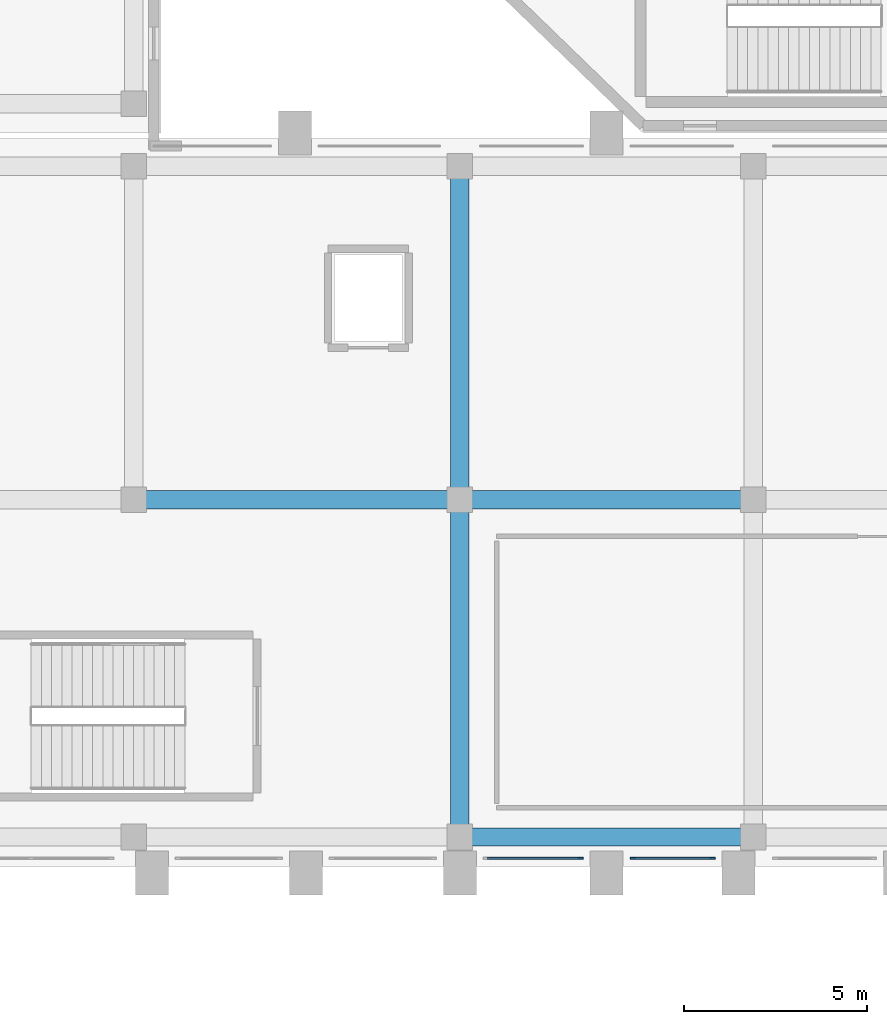
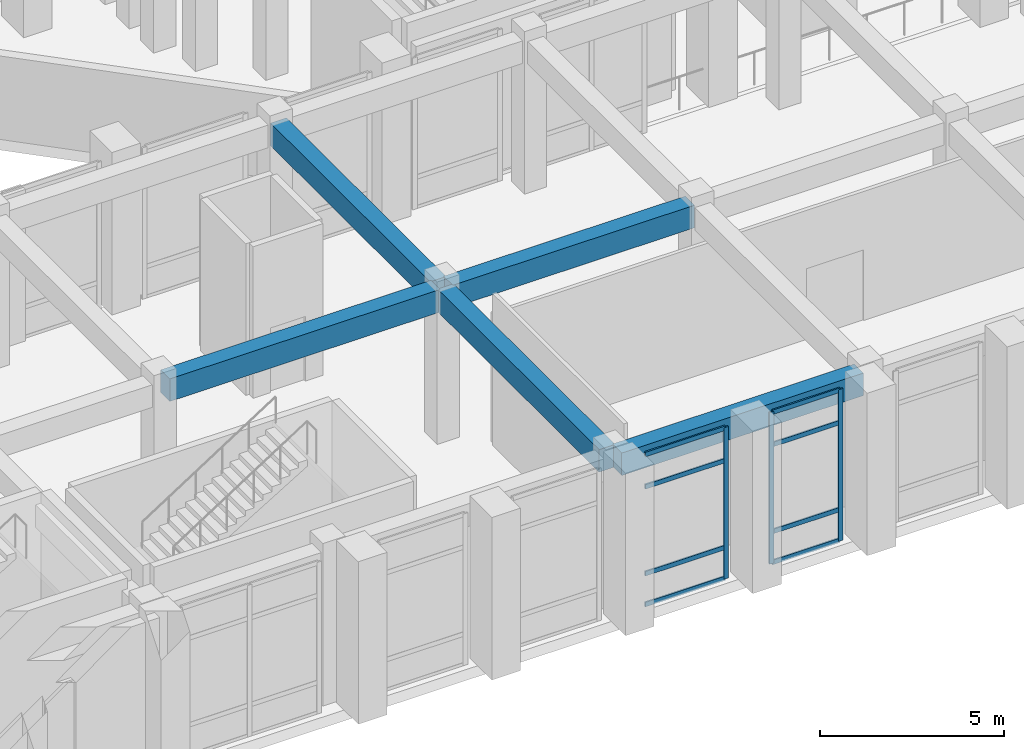
# One storey, part 19 of 159: 11 members, 5 beams, 2 elements without a shape of their own.
"""IFC4 building model written with IfcOpenShell, lengths in metres."""

from ifc_helpers import new_model, si_unit, derived_unit, direction, frame, origin, origin_2d, place, context, subcontext, project, spatial, rectangle, extrude, material, layer, layer_set, material_profile, profile_set, type_object, element, aggregate, save


model = new_model("IFC4")

# Units and contexts
model_context = context("Model", 3, precision=1e-05, world=origin(), true_north=direction((0.0, 1.0)))
body_context = subcontext(model_context, "Body", "Model", "MODEL_VIEW")
ifc_project = project(units=[si_unit("LENGTHUNIT", "METRE"), si_unit("AREAUNIT", "SQUARE_METRE"), si_unit("VOLUMEUNIT", "CUBIC_METRE"), si_unit("PLANEANGLEUNIT", "RADIAN"), si_unit("MASSUNIT", "GRAM", prefix="KILO"), derived_unit("THERMALTRANSMITTANCEUNIT", [(si_unit("MASSUNIT", "GRAM", prefix="KILO"), 1), (si_unit("TIMEUNIT", "SECOND"), -3), (si_unit("THERMODYNAMICTEMPERATUREUNIT", "KELVIN"), -1)])], contexts=[model_context])

# Site, building, storey
site_placement = place(None, origin())
site = spatial("IfcSite", under=ifc_project, at=site_placement, CompositionType="ELEMENT")
building_placement = place(site_placement, origin())
building = spatial("IfcBuilding", under=site, at=building_placement, Name="Valcora Ridge Arena", CompositionType="ELEMENT")
storey_placement = place(building_placement, frame((0.0, 0.0, 6.0)))
storey = spatial("IfcBuildingStorey", under=building, at=storey_placement, Name="L01", CompositionType="ELEMENT", Elevation=6.0)

# Beams
ifc_material_1 = material(Name="Concrete C40/50", Category="concrete")
ifc_material_profile_1 = material_profile(ifc_material_1, rectangle(XDim=0.5, YDim=0.75, at=origin_2d()), Name="RC 500x750")
ifc_profile_set_1 = profile_set([ifc_material_profile_1], Name="Concrete C40/50")
beam_type_1 = type_object("IfcBeamType", Name="TY-BEAM-B-RC500-X", PredefinedType="BEAM", material=ifc_profile_set_1)
beam_1_placement = place(storey_placement, frame((15.300048828125, 10.0, 4.6650390625), z_axis=(1.0, 0.0, 0.0), x_axis=(0.0, 1.0, 0.0)))
element("IfcBeam", 1, at=beam_1_placement, inside=storey, type_object=beam_type_1, Name="B-RC500-X BEM-B-RC500-X-0029", PredefinedType="BEAM", context=body_context, shape_type="SweptSolid", body=[
    extrude(rectangle(XDim=0.5, YDim=0.75, at=origin_2d()), origin(), (0.0, 0.0, 1.0), 8.5),
])
beam_2_placement = place(storey_placement, frame((24.199951171875, 10.0, 4.6650390625), z_axis=(1.0, 0.0, 0.0), x_axis=(0.0, 1.0, 0.0)))
element("IfcBeam", 2, at=beam_2_placement, inside=storey, type_object=beam_type_1, Name="B-RC500-X BEM-B-RC500-X-0030", PredefinedType="BEAM", context=body_context, shape_type="SweptSolid", body=[
    extrude(rectangle(XDim=0.5, YDim=0.75, at=origin_2d()), origin(), (0.0, 0.0, 1.0), 7.60009765625),
])
ifc_material_profile_2 = material_profile(ifc_material_1, rectangle(XDim=0.5, YDim=0.75, at=origin_2d()), Name="RC 500x750")
ifc_profile_set_2 = profile_set([ifc_material_profile_2], Name="Concrete C40/50")
beam_type_2 = type_object("IfcBeamType", Name="TY-BEAM-B-RC500-Y", PredefinedType="BEAM", material=ifc_profile_set_2)
beam_3_placement = place(storey_placement, frame((24.0, 1.0, 4.6650390625), z_axis=(0.0, 1.0, 0.0), x_axis=(-1.0, 0.0, 0.0)))
element("IfcBeam", 3, at=beam_3_placement, inside=storey, type_object=beam_type_2, Name="B-RC500-Y BEM-B-RC500-Y-0057", PredefinedType="BEAM", context=body_context, shape_type="SweptSolid", body=[
    extrude(rectangle(XDim=0.5, YDim=0.75, at=origin_2d()), origin(), (0.0, 0.0, 1.0), 8.800048828125),
])
beam_4_placement = place(storey_placement, frame((24.0, 10.199951171875, 4.6650390625), z_axis=(0.0, 1.0, 0.0), x_axis=(-1.0, 0.0, 0.0)))
element("IfcBeam", 4, at=beam_4_placement, inside=storey, type_object=beam_type_2, Name="B-RC500-Y BEM-B-RC500-Y-0058", PredefinedType="BEAM", context=body_context, shape_type="SweptSolid", body=[
    extrude(rectangle(XDim=0.5, YDim=0.75, at=origin_2d()), origin(), (0.0, 0.0, 1.0), 8.699951171875),
])
ifc_material_profile_3 = material_profile(ifc_material_1, rectangle(XDim=0.5, YDim=0.75, at=origin_2d()), Name="RC 500x750")
ifc_profile_set_3 = profile_set([ifc_material_profile_3], Name="Concrete C40/50")
beam_type_3 = type_object("IfcBeamType", Name="TY-BEAM-EB-RC500", PredefinedType="BEAM", material=ifc_profile_set_3)
beam_5_placement = place(storey_placement, frame((24.199951171875, 0.800048828125, 4.6650390625), z_axis=(1.0, 0.0, 0.0), x_axis=(0.0, 1.0, 0.0)))
element("IfcBeam", 5, at=beam_5_placement, inside=storey, type_object=beam_type_3, Name="EB-RC500 BEM-EB-RC500-0013", PredefinedType="BEAM", context=body_context, shape_type="SweptSolid", body=[
    extrude(rectangle(XDim=0.5, YDim=0.75, at=origin_2d()), origin(), (0.0, 0.0, 1.0), 7.60009765625),
])

# Curtain wall, member
ifc_material_2 = material(Name="Anodised dark bronze architectural aluminium 6063-T6", Category="aluminium")
ifc_layer_1 = layer(ifc_material_2, 0.14990234375, Name="Anodised dark bronze architectural aluminium 6063-T6")
ifc_layer_set_1 = layer_set([ifc_layer_1], Name="Anodised dark bronze architectural aluminium 6063-T6")
curtain_wall_type_1 = type_object("IfcCurtainWallType", Name="TY-CURTAINWALL-CW-V4-CLUB-026X50", PredefinedType="NOTDEFINED", material=ifc_layer_set_1)
curtain_wall_1_placement = place(storey_placement, origin())
curtain_wall_1 = element("IfcCurtainWall", 6, at=curtain_wall_1_placement, inside=storey, type_object=curtain_wall_type_1, Name="CW-V4-CLUB-026X50 CW-0207", PredefinedType="NOTDEFINED")
ifc_material_profile_4 = material_profile(ifc_material_2, rectangle(XDim=0.050048828125, YDim=0.14990234375, at=origin_2d()), Name="ALU MULLION 50x150")
ifc_profile_set_4 = profile_set([ifc_material_profile_4], Name="Anodised dark bronze architectural aluminium 6063-T6")
member_type_1 = type_object("IfcMemberType", Name="TY-MEM-CWM-50x150", PredefinedType="MULLION", material=ifc_profile_set_4)
member_1_placement = place(storey_placement, frame((27.284912109375, 0.219970703125, 0.0), z_axis=(0.0, 0.0, 1.0), x_axis=(0.0, 1.0, 0.0)))
member_1 = element("IfcMember", 7, at=member_1_placement, type_object=member_type_1, Name="CW-0207/CWM-50x150/M01", PredefinedType="MULLION", context=body_context, shape_type="SweptSolid", body=[
    extrude(rectangle(XDim=0.050048828125, YDim=0.14990234375, at=origin_2d()), origin(), (0.0, 0.0, 1.0), 5.0400390625),
])

# Curtain wall, members
ifc_layer_2 = layer(ifc_material_2, 0.14990234375, Name="Anodised dark bronze architectural aluminium 6063-T6")
ifc_layer_set_2 = layer_set([ifc_layer_2], Name="Anodised dark bronze architectural aluminium 6063-T6")
curtain_wall_type_2 = type_object("IfcCurtainWallType", Name="TY-CURTAINWALL-CW-V4-CLUB-022X50", PredefinedType="NOTDEFINED", material=ifc_layer_set_2)
curtain_wall_2_placement = place(storey_placement, origin())
curtain_wall_2 = element("IfcCurtainWall", 8, at=curtain_wall_2_placement, inside=storey, type_object=curtain_wall_type_2, Name="CW-V4-CLUB-022X50 CW-0208", PredefinedType="NOTDEFINED")
member_2_placement = place(storey_placement, frame((28.715087890625, 0.219970703125, 0.0), z_axis=(0.0, 0.0, 1.0), x_axis=(0.0, 1.0, 0.0)))
member_2 = element("IfcMember", 9, at=member_2_placement, type_object=member_type_1, Name="CW-0208/CWM-50x150/M00", PredefinedType="MULLION", context=body_context, shape_type="SweptSolid", body=[
    extrude(rectangle(XDim=0.050048828125, YDim=0.14990234375, at=origin_2d()), origin(), (0.0, 0.0, 1.0), 5.0400390625),
])
member_3_placement = place(storey_placement, frame((30.885009765625, 0.219970703125, 0.0), z_axis=(0.0, 0.0, 1.0), x_axis=(0.0, 1.0, 0.0)))
member_3 = element("IfcMember", 10, at=member_3_placement, type_object=member_type_1, Name="CW-0208/CWM-50x150/M01", PredefinedType="MULLION", context=body_context, shape_type="SweptSolid", body=[
    extrude(rectangle(XDim=0.050048828125, YDim=0.14990234375, at=origin_2d()), origin(), (0.0, 0.0, 1.0), 5.0400390625),
])

# Member
ifc_material_profile_5 = material_profile(ifc_material_2, rectangle(XDim=0.050048828125, YDim=0.14990234375, at=origin_2d()), Name="ALU TRANSOM 50x150")
ifc_profile_set_5 = profile_set([ifc_material_profile_5], Name="Anodised dark bronze architectural aluminium 6063-T6")
member_type_2 = type_object("IfcMemberType", Name="TY-MEM-CWT-50x150", PredefinedType="USERDEFINED", material=ifc_profile_set_5)
member_4_placement = place(storey_placement, frame((24.739990234375, 0.219970703125, 0.02490234375), z_axis=(1.0, 0.0, 0.0), x_axis=(0.0, 1.0, 0.0)))
member_4 = element("IfcMember", 11, at=member_4_placement, type_object=member_type_2, Name="CW-0207/CWT-50x150/T00-00", ObjectType="TRANSOM", PredefinedType="USERDEFINED", context=body_context, shape_type="SweptSolid", body=[
    extrude(rectangle(XDim=0.050048828125, YDim=0.14990234375, at=origin_2d()), origin(), (0.0, 0.0, 1.0), 2.52001953125),
])

member_5_placement = place(storey_placement, frame((24.739990234375, 0.219970703125, 1.050048828125), z_axis=(1.0, 0.0, 0.0), x_axis=(0.0, 1.0, 0.0)))
member_5 = element("IfcMember", 12, at=member_5_placement, type_object=member_type_2, Name="CW-0207/CWT-50x150/T00-01", ObjectType="TRANSOM", PredefinedType="USERDEFINED", context=body_context, shape_type="SweptSolid", body=[
    extrude(rectangle(XDim=0.050048828125, YDim=0.14990234375, at=origin_2d()), origin(), (0.0, 0.0, 1.0), 2.52001953125),
])

member_6_placement = place(storey_placement, frame((24.739990234375, 0.219970703125, 3.93994140625), z_axis=(1.0, 0.0, 0.0), x_axis=(0.0, 1.0, 0.0)))
member_6 = element("IfcMember", 13, at=member_6_placement, type_object=member_type_2, Name="CW-0207/CWT-50x150/T00-02", ObjectType="TRANSOM", PredefinedType="USERDEFINED", context=body_context, shape_type="SweptSolid", body=[
    extrude(rectangle(XDim=0.050048828125, YDim=0.14990234375, at=origin_2d()), origin(), (0.0, 0.0, 1.0), 2.52001953125),
])

member_7_placement = place(storey_placement, frame((24.739990234375, 0.219970703125, 5.014892578125), z_axis=(1.0, 0.0, 0.0), x_axis=(0.0, 1.0, 0.0)))
member_7 = element("IfcMember", 14, at=member_7_placement, type_object=member_type_2, Name="CW-0207/CWT-50x150/T00-03", ObjectType="TRANSOM", PredefinedType="USERDEFINED", context=body_context, shape_type="SweptSolid", body=[
    extrude(rectangle(XDim=0.050048828125, YDim=0.14990234375, at=origin_2d()), origin(), (0.0, 0.0, 1.0), 2.52001953125),
])

aggregate(curtain_wall_1, [member_1, member_4, member_5, member_6, member_7])

member_8_placement = place(storey_placement, frame((28.739990234375, 0.219970703125, 0.02490234375), z_axis=(1.0, 0.0, 0.0), x_axis=(0.0, 1.0, 0.0)))
member_8 = element("IfcMember", 15, at=member_8_placement, type_object=member_type_2, Name="CW-0208/CWT-50x150/T00-00", ObjectType="TRANSOM", PredefinedType="USERDEFINED", context=body_context, shape_type="SweptSolid", body=[
    extrude(rectangle(XDim=0.050048828125, YDim=0.14990234375, at=origin_2d()), origin(), (0.0, 0.0, 1.0), 2.1201171875),
])

member_9_placement = place(storey_placement, frame((28.739990234375, 0.219970703125, 1.050048828125), z_axis=(1.0, 0.0, 0.0), x_axis=(0.0, 1.0, 0.0)))
member_9 = element("IfcMember", 16, at=member_9_placement, type_object=member_type_2, Name="CW-0208/CWT-50x150/T00-01", ObjectType="TRANSOM", PredefinedType="USERDEFINED", context=body_context, shape_type="SweptSolid", body=[
    extrude(rectangle(XDim=0.050048828125, YDim=0.14990234375, at=origin_2d()), origin(), (0.0, 0.0, 1.0), 2.1201171875),
])

member_10_placement = place(storey_placement, frame((28.739990234375, 0.219970703125, 3.93994140625), z_axis=(1.0, 0.0, 0.0), x_axis=(0.0, 1.0, 0.0)))
member_10 = element("IfcMember", 17, at=member_10_placement, type_object=member_type_2, Name="CW-0208/CWT-50x150/T00-02", ObjectType="TRANSOM", PredefinedType="USERDEFINED", context=body_context, shape_type="SweptSolid", body=[
    extrude(rectangle(XDim=0.050048828125, YDim=0.14990234375, at=origin_2d()), origin(), (0.0, 0.0, 1.0), 2.1201171875),
])

member_11_placement = place(storey_placement, frame((28.739990234375, 0.219970703125, 5.014892578125), z_axis=(1.0, 0.0, 0.0), x_axis=(0.0, 1.0, 0.0)))
member_11 = element("IfcMember", 18, at=member_11_placement, type_object=member_type_2, Name="CW-0208/CWT-50x150/T00-03", ObjectType="TRANSOM", PredefinedType="USERDEFINED", context=body_context, shape_type="SweptSolid", body=[
    extrude(rectangle(XDim=0.050048828125, YDim=0.14990234375, at=origin_2d()), origin(), (0.0, 0.0, 1.0), 2.1201171875),
])

aggregate(curtain_wall_2, [member_2, member_3, member_8, member_9, member_10, member_11])

save(model, "model.ifc")
